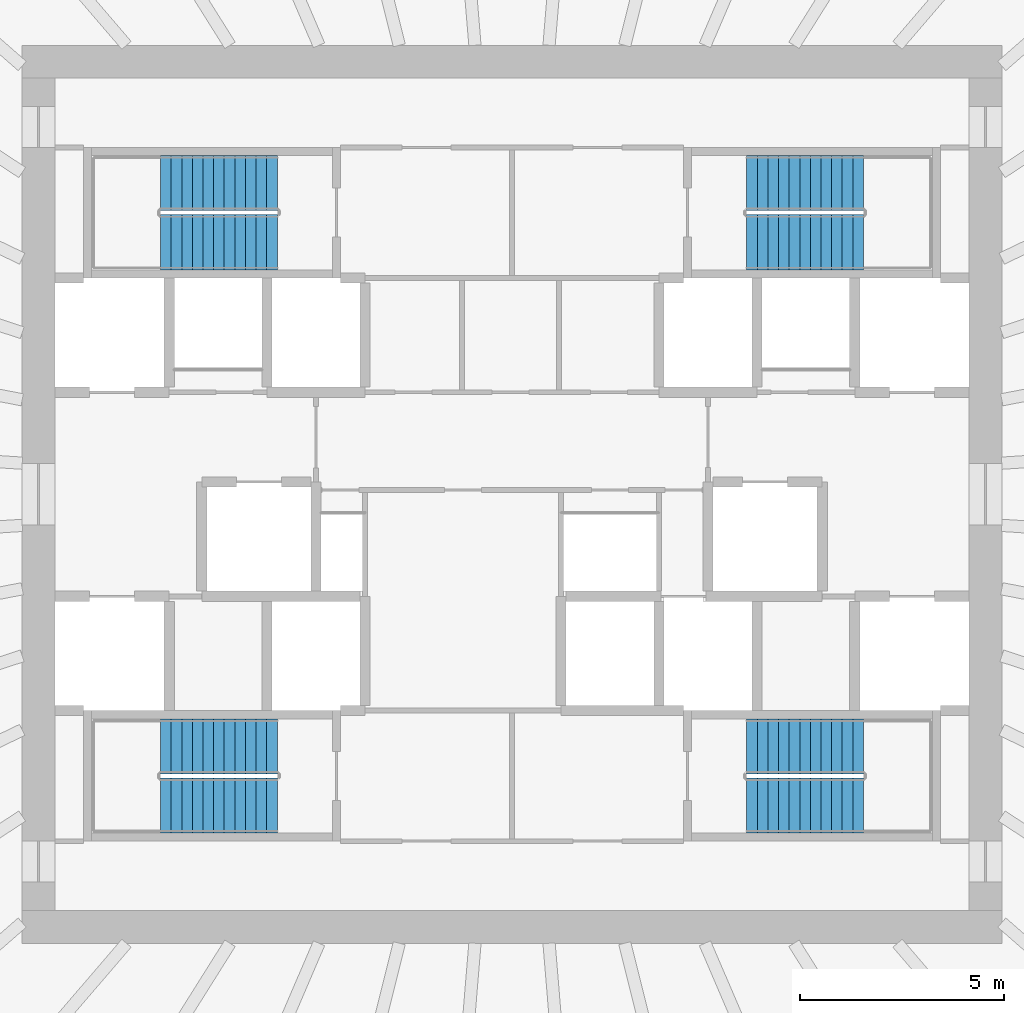
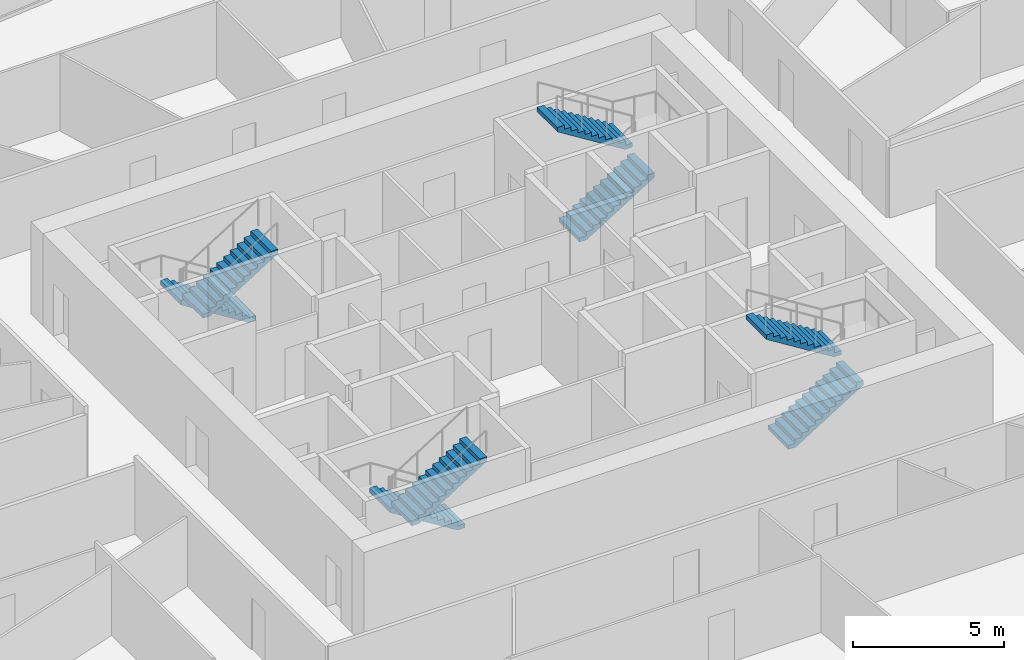
# One storey, part 10 of 11: 8 stair flights, 4 elements without a shape of their own.
"""IFC4 building model written with IfcOpenShell, lengths in metres."""

from ifc_helpers import new_model, si_unit, direction, frame, origin, place, context, subcontext, project, spatial, polyline, outline, extrude, source, transform, mapped, material, type_object, element, aggregate, save


model = new_model("IFC4")

# Units and contexts
model_context = context("Model", 3, precision=1e-05, world=origin(), true_north=direction((0.0, 1.0)))
body_context = subcontext(model_context, "Body", "Model", "MODEL_VIEW")
ifc_project = project(units=[si_unit("LENGTHUNIT", "METRE"), si_unit("AREAUNIT", "SQUARE_METRE"), si_unit("VOLUMEUNIT", "CUBIC_METRE"), si_unit("PLANEANGLEUNIT", "RADIAN"), si_unit("MASSUNIT", "GRAM", prefix="KILO")], contexts=[model_context])

# Site, building, storey
site_placement = place(None, origin())
site = spatial("IfcSite", under=ifc_project, at=site_placement, CompositionType="ELEMENT")
building_placement = place(site_placement, origin())
building = spatial("IfcBuilding", under=site, at=building_placement, Name="Embergate Tower", CompositionType="ELEMENT")
storey_placement = place(building_placement, frame((0.0, 0.0, 215.10009765625)))
storey = spatial("IfcBuildingStorey", under=building, at=storey_placement, Name="L49", CompositionType="ELEMENT", Elevation=215.10009765625)

# Stair, stair flights
ifc_material_1 = material(Name="Exit stair")
stair_type = type_object("IfcStairType", Name="Exit stair", PredefinedType="HALF_TURN_STAIR", material=ifc_material_1)
stair_1_placement = place(storey_placement, origin())
stair_1 = element("IfcStair", 1, at=stair_1_placement, inside=storey, type_object=stair_type, Name="L49 Exit stair 1", PredefinedType="HALF_TURN_STAIR")
ifc_material_2 = material(Name="Concrete C40", Category="concrete")
stair_flight_type = type_object("IfcStairFlightType", Name="Stair flight reinforced concrete", PredefinedType="STRAIGHT", material=ifc_material_2)
shared_shape = source(origin(), body_context, "Body", "SweptSolid", [
    extrude(outline(polyline([(0.0, 0.0), (0.0, 0.16259765625), (0.260009765625, 0.16259765625), (0.260009765625, 0.324951171875), (0.52001953125, 0.324951171875), (0.52001953125, 0.487548828125), (0.780029296875, 0.487548828125), (0.780029296875, 0.64990234375), (1.0400390625, 0.64990234375), (1.0400390625, 0.8125), (1.300048828125, 0.8125), (1.300048828125, 0.97509765625), (1.56005859375, 0.97509765625), (1.56005859375, 1.137451171875), (1.820068359375, 1.137451171875), (1.820068359375, 1.300048828125), (2.080078125, 1.300048828125), (2.080078125, 1.46240234375), (2.340087890625, 1.46240234375), (2.340087890625, 1.625), (2.60009765625, 1.625), (2.60009765625, 1.78759765625), (2.860107421875, 1.78759765625), (2.860107421875, 1.949951171875), (2.860107421875, 1.61083984375), (0.28271484375, 0.0), (0.0, 0.0)])), frame((0.0, 0.675048828125, 0.0), z_axis=(0.0, -1.0, 0.0), x_axis=(1.0, 0.0, 0.0)), (0.0, 0.0, 1.0), 1.35009765625),
])
stair_flight_1_placement = place(storey_placement, frame((-5.75, 7.625, 0.0), z_axis=(0.0, 0.0, 1.0), x_axis=(-1.0, 0.0, 0.0)))
stair_flight_1 = element("IfcStairFlight", 2, at=stair_flight_1_placement, type_object=stair_flight_type, Name="ST1 flight 1", NumberOfRisers=12, NumberOfTreads=11, PredefinedType="STRAIGHT", RiserHeight=0.1625, TreadLength=0.26, context=body_context, shape_type="MappedRepresentation", body=[
    mapped(shared_shape, transform((0.0, 0.0, 0.0))),
])
stair_flight_2_placement = place(storey_placement, frame((-8.610107421875, 6.175048828125, 1.949951171875), z_axis=(0.0, 0.0, 1.0), x_axis=(1.0, 0.0, 0.0)))
stair_flight_2 = element("IfcStairFlight", 3, at=stair_flight_2_placement, type_object=stair_flight_type, Name="ST1 flight 2", NumberOfRisers=12, NumberOfTreads=11, PredefinedType="STRAIGHT", RiserHeight=0.1625, TreadLength=0.26, context=body_context, shape_type="MappedRepresentation", body=[
    mapped(shared_shape, transform((0.0, 0.0, 0.0))),
])
aggregate(stair_1, [stair_flight_1, stair_flight_2])

stair_2_placement = place(storey_placement, origin())
stair_2 = element("IfcStair", 4, at=stair_2_placement, inside=storey, type_object=stair_type, Name="L49 Exit stair 2", PredefinedType="HALF_TURN_STAIR")
stair_flight_3_placement = place(storey_placement, frame((5.75, 6.175048828125, 0.0), z_axis=(0.0, 0.0, 1.0), x_axis=(1.0, 0.0, 0.0)))
stair_flight_3 = element("IfcStairFlight", 5, at=stair_flight_3_placement, type_object=stair_flight_type, Name="ST2 flight 1", NumberOfRisers=12, NumberOfTreads=11, PredefinedType="STRAIGHT", RiserHeight=0.1625, TreadLength=0.26, context=body_context, shape_type="MappedRepresentation", body=[
    mapped(shared_shape, transform((0.0, 0.0, 0.0))),
])
stair_flight_4_placement = place(storey_placement, frame((8.610107421875, 7.625, 1.949951171875), z_axis=(0.0, 0.0, 1.0), x_axis=(-1.0, 0.0, 0.0)))
stair_flight_4 = element("IfcStairFlight", 6, at=stair_flight_4_placement, type_object=stair_flight_type, Name="ST2 flight 2", NumberOfRisers=12, NumberOfTreads=11, PredefinedType="STRAIGHT", RiserHeight=0.1625, TreadLength=0.26, context=body_context, shape_type="MappedRepresentation", body=[
    mapped(shared_shape, transform((0.0, 0.0, 0.0))),
])
aggregate(stair_2, [stair_flight_3, stair_flight_4])

stair_3_placement = place(storey_placement, origin())
stair_3 = element("IfcStair", 7, at=stair_3_placement, inside=storey, type_object=stair_type, Name="L49 Exit stair 3", PredefinedType="HALF_TURN_STAIR")
stair_flight_5_placement = place(storey_placement, frame((-5.75, -6.175048828125, 0.0), z_axis=(0.0, 0.0, 1.0), x_axis=(-1.0, 0.0, 0.0)))
stair_flight_5 = element("IfcStairFlight", 8, at=stair_flight_5_placement, type_object=stair_flight_type, Name="ST3 flight 1", NumberOfRisers=12, NumberOfTreads=11, PredefinedType="STRAIGHT", RiserHeight=0.1625, TreadLength=0.26, context=body_context, shape_type="MappedRepresentation", body=[
    mapped(shared_shape, transform((0.0, 0.0, 0.0))),
])
stair_flight_6_placement = place(storey_placement, frame((-8.610107421875, -7.625, 1.949951171875), z_axis=(0.0, 0.0, 1.0), x_axis=(1.0, 0.0, 0.0)))
stair_flight_6 = element("IfcStairFlight", 9, at=stair_flight_6_placement, type_object=stair_flight_type, Name="ST3 flight 2", NumberOfRisers=12, NumberOfTreads=11, PredefinedType="STRAIGHT", RiserHeight=0.1625, TreadLength=0.26, context=body_context, shape_type="MappedRepresentation", body=[
    mapped(shared_shape, transform((0.0, 0.0, 0.0))),
])
aggregate(stair_3, [stair_flight_5, stair_flight_6])

stair_4_placement = place(storey_placement, origin())
stair_4 = element("IfcStair", 10, at=stair_4_placement, inside=storey, type_object=stair_type, Name="L49 Exit stair 4", PredefinedType="HALF_TURN_STAIR")
stair_flight_7_placement = place(storey_placement, frame((5.75, -7.625, 0.0), z_axis=(0.0, 0.0, 1.0), x_axis=(1.0, 0.0, 0.0)))
stair_flight_7 = element("IfcStairFlight", 11, at=stair_flight_7_placement, type_object=stair_flight_type, Name="ST4 flight 1", NumberOfRisers=12, NumberOfTreads=11, PredefinedType="STRAIGHT", RiserHeight=0.1625, TreadLength=0.26, context=body_context, shape_type="MappedRepresentation", body=[
    mapped(shared_shape, transform((0.0, 0.0, 0.0))),
])
stair_flight_8_placement = place(storey_placement, frame((8.610107421875, -6.175048828125, 1.949951171875), z_axis=(0.0, 0.0, 1.0), x_axis=(-1.0, 0.0, 0.0)))
stair_flight_8 = element("IfcStairFlight", 12, at=stair_flight_8_placement, type_object=stair_flight_type, Name="ST4 flight 2", NumberOfRisers=12, NumberOfTreads=11, PredefinedType="STRAIGHT", RiserHeight=0.1625, TreadLength=0.26, context=body_context, shape_type="MappedRepresentation", body=[
    mapped(shared_shape, transform((0.0, 0.0, 0.0))),
])
aggregate(stair_4, [stair_flight_7, stair_flight_8])

save(model, "model.ifc")
